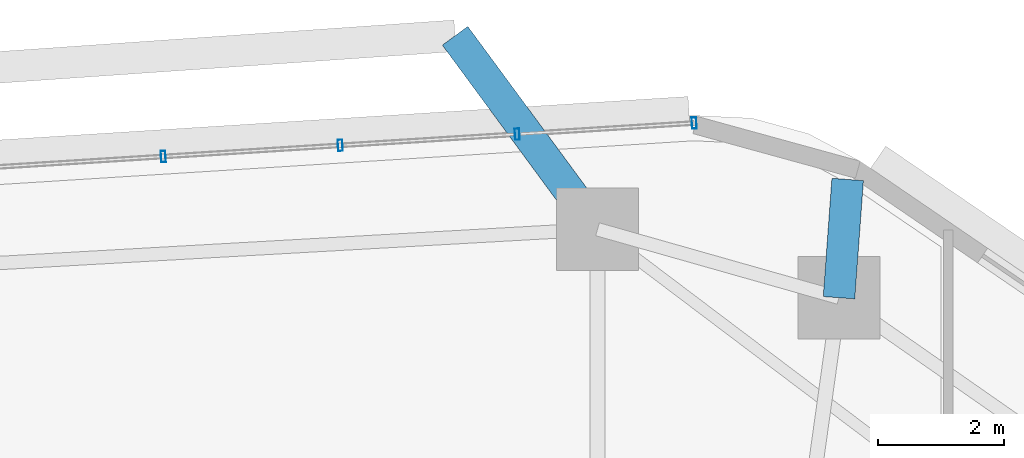
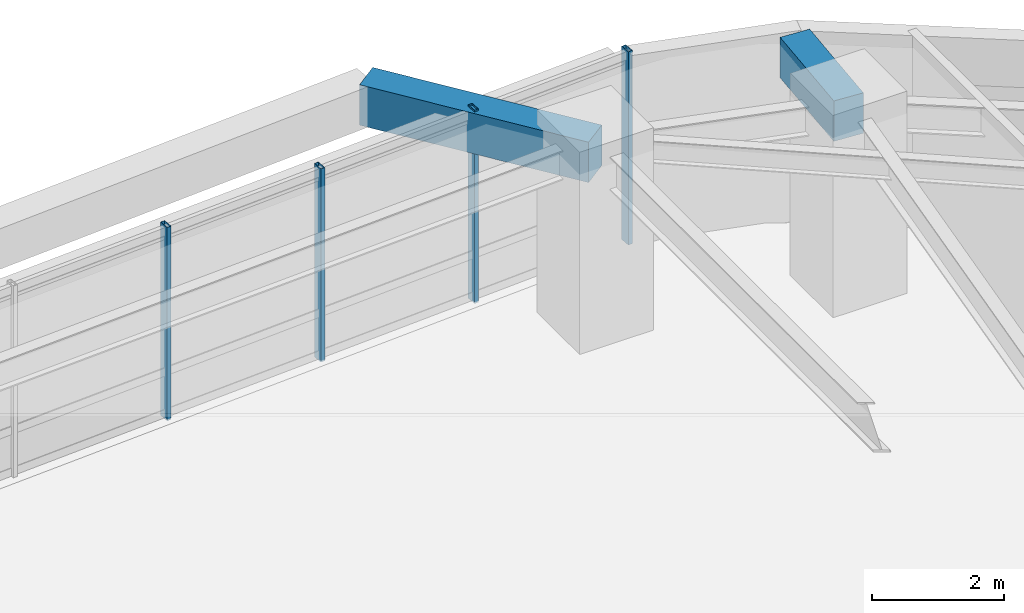
# One storey, part 4 of 11: 4 members, 2 beams, 1 element without a shape of its own.
"""IFC4 building model written with IfcOpenShell, lengths in metres."""

import ifcopenshell
import ifcopenshell.guid

model = None  # the IFC model being written
_history = None  # IfcOwnerHistory: only IFC2X3 demands one
_inside = {}  # id of a spatial element -> (the spatial element, [elements in it])
_under = {}  # id of a project, library or spatial element -> (it, [spatial elements below it])
_declared = {}  # id of a project -> (the project, [libraries it declares])
_typed = {}  # id of a type object -> (the type object, [elements of that type])
_made_of = {}  # id of a material, layer set ... -> (it, [elements and type objects made of it])


def new_model(schema):
    """Start an empty IFC model of exactly this schema.

    Asked for "IFC4X3", IfcOpenShell would pick the latest addendum, in which some entities
    have other attributes; the version numbers below select the first issue.
    IFC2X3 requires an IfcOwnerHistory on every rooted entity: one is made here for all.
    """
    global model, _history
    if schema == "IFC4X3":
        model = ifcopenshell.file(schema_version=(4, 3, 0, 0))
    else:
        model = ifcopenshell.file(schema=schema)
    _inside.clear()
    _under.clear()
    _declared.clear()
    _typed.clear()
    _made_of.clear()
    _history = None
    if model.schema == "IFC2X3":
        org = make("IfcOrganization", Name="unknown")
        user = make(
            "IfcPersonAndOrganization",
            ThePerson=make("IfcPerson", FamilyName="unknown"),
            TheOrganization=org,
        )
        app = make(
            "IfcApplication",
            ApplicationDeveloper=org,
            Version="unknown",
            ApplicationFullName="unknown",
            ApplicationIdentifier="unknown",
        )
        _history = make(
            "IfcOwnerHistory",
            OwningUser=user,
            OwningApplication=app,
            ChangeAction="ADDED",
            CreationDate=0,
        )
    return model


def make(cls, **values):
    """One entity of the class cls with the attributes given. An attribute that is None is left unset."""
    return model.create_entity(
        cls, **{name: value for name, value in values.items() if value is not None}
    )


def rooted(cls, **values):
    """An entity with a GlobalId (a new one), such as an element, a storey or a relation."""
    return make(cls, GlobalId=ifcopenshell.guid.new(), OwnerHistory=_history, **values)


def si_unit(unit_type, name, prefix=None):
    """IfcSIUnit, for example si_unit("LENGTHUNIT", "METRE", prefix="MILLI")."""
    return make("IfcSIUnit", UnitType=unit_type, Prefix=prefix, Name=name)


def assignment(units):
    """IfcUnitAssignment: the units of a project."""
    return None if units is None else make("IfcUnitAssignment", Units=units)


def point(xyz):
    """IfcCartesianPoint."""
    return None if xyz is None else make("IfcCartesianPoint", Coordinates=xyz)


def direction(xyz):
    """IfcDirection."""
    return None if xyz is None else make("IfcDirection", DirectionRatios=xyz)


def frame(location, z_axis=None, x_axis=None):
    """IfcAxis2Placement3D, a coordinate frame: its origin and axes. An axis left out is left unset."""
    return make(
        "IfcAxis2Placement3D",
        Location=point(location),
        Axis=direction(z_axis),
        RefDirection=direction(x_axis),
    )


def frame_2d(location, x_axis=None):
    """IfcAxis2Placement2D, a coordinate frame in the plane: its origin and x axis."""
    return make(
        "IfcAxis2Placement2D", Location=point(location), RefDirection=direction(x_axis)
    )


def origin():
    """The frame at (0, 0, 0) with its axes left unset."""
    return frame((0.0, 0.0, 0.0))


def origin_2d():
    """The frame at (0, 0) in the plane with its x axis left unset."""
    return frame_2d((0.0, 0.0))


def place(relative_to, where):
    """IfcLocalPlacement: puts the frame where relative to a parent placement (None: the world)."""
    return make(
        "IfcLocalPlacement", PlacementRelTo=relative_to, RelativePlacement=where
    )


def context(
    kind, dimensions, precision=None, world=None, true_north=None, identifier=None
):
    """IfcGeometricRepresentationContext, for example the 3D "Model" context."""
    return make(
        "IfcGeometricRepresentationContext",
        ContextIdentifier=identifier,
        ContextType=kind,
        CoordinateSpaceDimension=dimensions,
        Precision=precision,
        WorldCoordinateSystem=world,
        TrueNorth=true_north,
    )


def subcontext(parent, identifier, kind, view, scale=None):
    """IfcGeometricRepresentationSubContext, for example "Body" below "Model"."""
    return make(
        "IfcGeometricRepresentationSubContext",
        ContextIdentifier=identifier,
        ContextType=kind,
        ParentContext=parent,
        TargetScale=scale,
        TargetView=view,
    )


def project(units=None, contexts=None):
    """IfcProject with its units and contexts."""
    return rooted(
        "IfcProject",
        Name="project",
        RepresentationContexts=contexts,
        UnitsInContext=assignment(units),
    )


def spatial(cls, under=None, at=None, **own):
    """A site, building, storey or space (cls), placed at a placement, below another one or the project."""
    s = rooted(cls, ObjectPlacement=at, **own)
    if under is not None:
        _under.setdefault(under.id(), (under, []))[1].append(s)
    return s


def profile(cls, at=None, kind="AREA", **sizes):
    """A parametric profile (cls). Its sizes go by their IFC names, for example OverallWidth=200.0."""
    return make(cls, ProfileType=kind, Position=at, **sizes)


def rectangle(**sizes):
    """IfcRectangleProfileDef."""
    return profile("IfcRectangleProfileDef", **sizes)


def hollow_rectangle(**sizes):
    """IfcRectangleHollowProfileDef."""
    return profile("IfcRectangleHollowProfileDef", **sizes)


def extrude(swept, where, along, depth):
    """IfcExtrudedAreaSolid: the profile swept, set in the frame where, extruded along a direction by depth."""
    return make(
        "IfcExtrudedAreaSolid",
        SweptArea=swept,
        Position=where,
        ExtrudedDirection=direction(along),
        Depth=depth,
    )


def shape(context_of_items, identifier, shape_type, items):
    """IfcShapeRepresentation: the items that make up one representation, for example the "Body"."""
    return make(
        "IfcShapeRepresentation",
        ContextOfItems=context_of_items,
        RepresentationIdentifier=identifier,
        RepresentationType=shape_type,
        Items=items,
    )


def material(Name=None, Category=None):
    """IfcMaterial."""
    return make("IfcMaterial", Name=Name, Category=Category)


def material_profile(
    of_material, cross_section, Name=None, Category=None, Priority=None
):
    """IfcMaterialProfile: a cross section and its material."""
    return make(
        "IfcMaterialProfile",
        Name=Name,
        Material=of_material,
        Profile=cross_section,
        Priority=Priority,
        Category=Category,
    )


def profile_set(profiles, Name=None, composite=None):
    """IfcMaterialProfileSet."""
    return make(
        "IfcMaterialProfileSet",
        Name=Name,
        MaterialProfiles=profiles,
        CompositeProfile=composite,
    )


def made_of(thing, what):
    """Note that an element or type object is made of a material, layer set ...; save() writes the relation."""
    if what is not None:
        _made_of.setdefault(what.id(), (what, []))[1].append(thing)
    return thing


def type_object(cls, material=None, **own):
    """A type object (cls), such as IfcWallType, which elements share."""
    return made_of(rooted(cls, **own), material)


def element(
    cls,
    number,
    at=None,
    inside=None,
    cuts=None,
    type_object=None,
    material=None,
    context=None,
    identifier="Body",
    shape_type=None,
    held_by="IfcProductDefinitionShape",
    body=None,
    shapes=None,
    **own,
):
    """One element of the class cls, such as IfcWall. Its Tag is "e" and its number.

    at: its placement. inside: the storey or other place that contains it. cuts: it is an
    opening in that element (IfcRelVoidsElement). A single representation is given by context,
    identifier, shape_type and body (its items); several are given by shapes. held_by: the class
    of the entity that holds the representations. save() writes the other relations.
    """
    e = rooted(cls, Tag="e%d" % number, ObjectPlacement=at, **own)
    if body is not None:
        shapes = [shape(context, identifier, shape_type, body)]
    if shapes is not None:
        e.Representation = make(held_by, Representations=shapes)
    if inside is not None:
        _inside.setdefault(inside.id(), (inside, []))[1].append(e)
    if cuts is not None:
        rooted(
            "IfcRelVoidsElement", RelatingBuildingElement=cuts, RelatedOpeningElement=e
        )
    if type_object is not None:
        _typed.setdefault(type_object.id(), (type_object, []))[1].append(e)
    return made_of(e, material)


def aggregate(whole, parts):
    """IfcRelAggregates: a whole, such as a stair, and the parts it consists of."""
    return rooted("IfcRelAggregates", RelatingObject=whole, RelatedObjects=parts)


def save(model, path):
    """Write the relations noted so far, then the file.

    IfcRelAggregates (storeys below a building ...), IfcRelContainedInSpatialStructure (elements
    in a storey), IfcRelDefinesByType, IfcRelAssociatesMaterial and IfcRelDeclares: one each for
    every whole, place, type object, material and project.
    """
    for whole, parts in _under.values():
        aggregate(whole, parts)
    for where, things in _inside.values():
        rooted(
            "IfcRelContainedInSpatialStructure",
            RelatedElements=things,
            RelatingStructure=where,
        )
    for kind, things in _typed.values():
        rooted("IfcRelDefinesByType", RelatedObjects=things, RelatingType=kind)
    for what, things in _made_of.values():
        rooted("IfcRelAssociatesMaterial", RelatedObjects=things, RelatingMaterial=what)
    for by, libraries in _declared.values():
        rooted("IfcRelDeclares", RelatingContext=by, RelatedDefinitions=libraries)
    model.write(path)


model = new_model("IFC4")

# Units and contexts
model_context = context("Model", 3, precision=1e-05, world=origin(), true_north=direction((0.0, 1.0)))
body_context = subcontext(model_context, "Body", "Model", "MODEL_VIEW")
ifc_project = project(units=[si_unit("LENGTHUNIT", "METRE"), si_unit("AREAUNIT", "SQUARE_METRE"), si_unit("VOLUMEUNIT", "CUBIC_METRE"), si_unit("PLANEANGLEUNIT", "RADIAN"), si_unit("MASSUNIT", "GRAM", prefix="KILO")], contexts=[model_context])

# Site, building, storey
site_placement = place(None, origin())
site = spatial("IfcSite", under=ifc_project, at=site_placement, CompositionType="ELEMENT")
building_placement = place(site_placement, origin())
building = spatial("IfcBuilding", under=site, at=building_placement, Name="Zulverin Broadcast Headquarters", CompositionType="ELEMENT")
storey_placement = place(building_placement, frame((0.0, 0.0, 78.199951171875)))
storey = spatial("IfcBuildingStorey", under=building, at=storey_placement, Name="L19", CompositionType="ELEMENT", Elevation=78.199951171875)

# Beams
ifc_material_1 = material(Name="Concrete C40/50", Category="concrete")
ifc_material_profile_1 = material_profile(ifc_material_1, rectangle(XDim=0.5, YDim=0.75, at=origin_2d()), Name="Concrete C40/50", Category="concrete")
ifc_profile_set_1 = profile_set([ifc_material_profile_1], Name="Concrete C40/50")
beam_type = type_object("IfcBeamType", Name="BM-RC-500x750", PredefinedType="BEAM", material=ifc_profile_set_1)
beam_1_placement = place(storey_placement, frame((50.121826171875, 46.325927734375, 3.150146484375), z_axis=(0.073023006252, 0.997330256514, 0.0), x_axis=(-0.997330256514, 0.073023006252, 0.0)))
element("IfcBeam", 1, at=beam_1_placement, inside=storey, type_object=beam_type, Name="L20 Plate Overhang Back-Spanned Beam OVR-08", PredefinedType="BEAM", context=body_context, shape_type="SweptSolid", body=[
    extrude(rectangle(XDim=0.5, YDim=0.75, at=origin_2d()), origin(), (0.0, 0.0, 1.0), 1.875732421875),
])
beam_2_placement = place(storey_placement, frame((46.30224609375, 47.4091796875, 3.150146484375), z_axis=(-0.592925064887, 0.805257640404, 0.0), x_axis=(-0.805257640404, -0.592925064887, 0.0)))
element("IfcBeam", 2, at=beam_2_placement, inside=storey, type_object=beam_type, Name="L20 Balcony Column-Framed Cantilever BAL_N-1", PredefinedType="BEAM", context=body_context, shape_type="SweptSolid", body=[
    extrude(rectangle(XDim=0.5, YDim=0.75, at=origin_2d()), origin(), (0.0, 0.0, 1.0), 3.800048828125),
])

# Curtain wall, members
ifc_material_2 = material(Name="Low-zone ribbon unitised curtain wall", Category="aluminium")
curtain_wall_type = type_object("IfcCurtainWallType", Name="CW-TWR-LOW", PredefinedType="USERDEFINED", material=ifc_material_2)
curtain_wall_placement = place(storey_placement, origin())
curtain_wall = element("IfcCurtainWall", 3, at=curtain_wall_placement, inside=storey, type_object=curtain_wall_type, Name="L19 Unitised Curtain Wall CW-L19-E5", ObjectType="UNITISED CURTAIN WALL", PredefinedType="USERDEFINED")
ifc_material_3 = material(Name="Anodized pale-metal aluminium alloy 6063-T6", Category="aluminium")
ifc_material_profile_2 = material_profile(ifc_material_3, hollow_rectangle(XDim=0.074951171875, YDim=0.179931640625, WallThickness=0.0048828125, at=origin_2d()), Name="Anodized pale-metal aluminium alloy 6063-T6", Category="aluminium")
ifc_profile_set_2 = profile_set([ifc_material_profile_2], Name="Anodized pale-metal aluminium alloy 6063-T6")
member_type = type_object("IfcMemberType", Name="CW-MUL-180", PredefinedType="MULLION", material=ifc_profile_set_2)
member_1_placement = place(storey_placement, frame((47.83056640625, 49.08935546875, -0.030029296875), z_axis=(0.0, 0.0, 1.0), x_axis=(-0.998017621976, -0.062935095345, 0.0)))
member_1 = element("IfcMember", 4, at=member_1_placement, type_object=member_type, Name="CW-L19-E5 Mullion 00", PredefinedType="MULLION", context=body_context, shape_type="SweptSolid", body=[
    extrude(hollow_rectangle(XDim=0.074951171875, YDim=0.179931640625, WallThickness=0.0048828125, at=origin_2d()), origin(), (0.0, 0.0, 1.0), 3.5849609375),
])
member_2_placement = place(storey_placement, frame((45.031982421875, 48.912841796875, -0.030029296875), z_axis=(0.0, 0.0, 1.0), x_axis=(-0.998017621976, -0.062935095345, 0.0)))
member_2 = element("IfcMember", 5, at=member_2_placement, type_object=member_type, Name="CW-L19-E5 Mullion 01", PredefinedType="MULLION", context=body_context, shape_type="SweptSolid", body=[
    extrude(hollow_rectangle(XDim=0.074951171875, YDim=0.179931640625, WallThickness=0.0048828125, at=origin_2d()), origin(), (0.0, 0.0, 1.0), 3.5849609375),
])
member_3_placement = place(storey_placement, frame((42.233154296875, 48.736328125, -0.030029296875), z_axis=(0.0, 0.0, 1.0), x_axis=(-0.998017621976, -0.062935095345, 0.0)))
member_3 = element("IfcMember", 6, at=member_3_placement, type_object=member_type, Name="CW-L19-E5 Mullion 02", PredefinedType="MULLION", context=body_context, shape_type="SweptSolid", body=[
    extrude(hollow_rectangle(XDim=0.074951171875, YDim=0.179931640625, WallThickness=0.0048828125, at=origin_2d()), origin(), (0.0, 0.0, 1.0), 3.5849609375),
])
member_4_placement = place(storey_placement, frame((39.4345703125, 48.559814453125, -0.030029296875), z_axis=(0.0, 0.0, 1.0), x_axis=(-0.998017621976, -0.062935095345, 0.0)))
member_4 = element("IfcMember", 7, at=member_4_placement, type_object=member_type, Name="CW-L19-E5 Mullion 03", PredefinedType="MULLION", context=body_context, shape_type="SweptSolid", body=[
    extrude(hollow_rectangle(XDim=0.074951171875, YDim=0.179931640625, WallThickness=0.0048828125, at=origin_2d()), origin(), (0.0, 0.0, 1.0), 3.5849609375),
])
aggregate(curtain_wall, [member_1, member_2, member_3, member_4])

save(model, "model.ifc")
